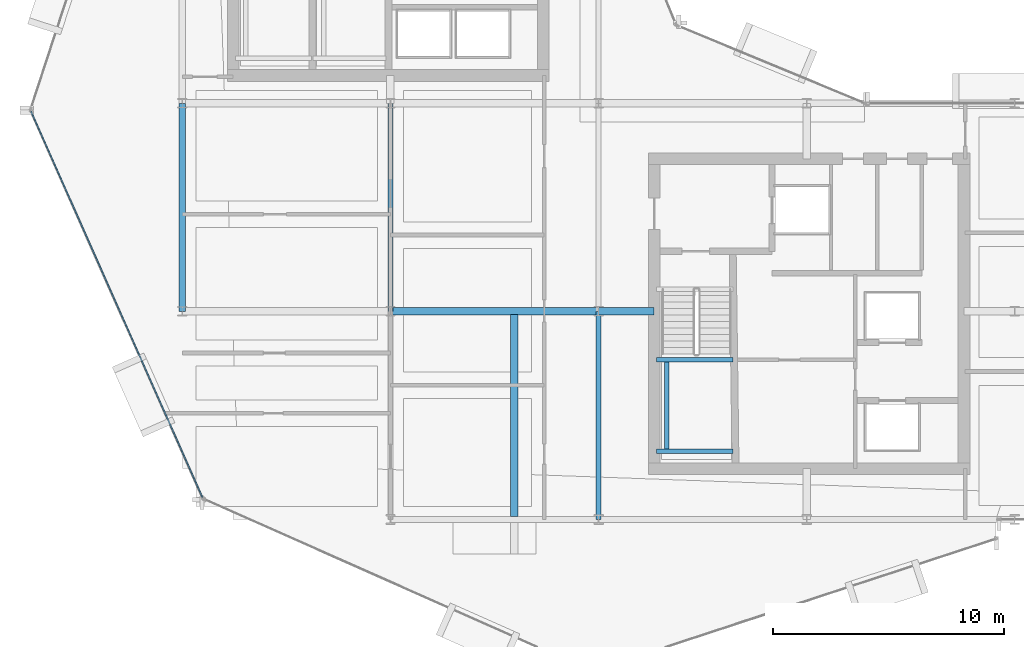
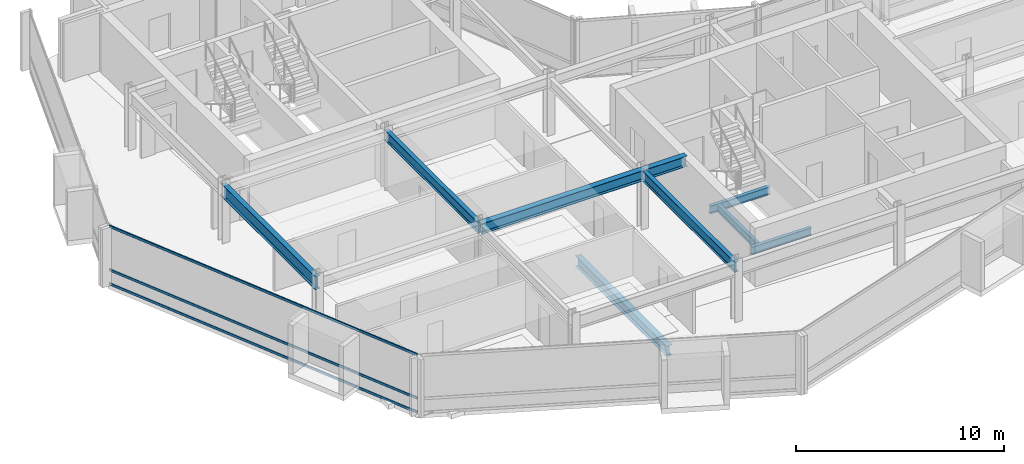
# One storey, part 5 of 27: 9 beams, 3 members, 1 element without a shape of its own.
"""IFC4 building model written with IfcOpenShell, lengths in metres."""

from ifc_helpers import new_model, si_unit, direction, frame, origin, origin_2d, place, context, subcontext, project, spatial, hollow_rectangle, i_section, extrude, material, layer, layer_set, material_profile, profile_set, type_object, element, aggregate, save


model = new_model("IFC4")

# Units and contexts
model_context = context("Model", 3, precision=1e-05, world=origin(), true_north=direction((0.0, 1.0)))
body_context = subcontext(model_context, "Body", "Model", "MODEL_VIEW")
ifc_project = project(units=[si_unit("LENGTHUNIT", "METRE"), si_unit("AREAUNIT", "SQUARE_METRE"), si_unit("VOLUMEUNIT", "CUBIC_METRE"), si_unit("PLANEANGLEUNIT", "RADIAN"), si_unit("MASSUNIT", "GRAM", prefix="KILO")], contexts=[model_context])

# Site, building, storey
site_placement = place(None, origin())
site = spatial("IfcSite", under=ifc_project, at=site_placement, CompositionType="ELEMENT")
building_placement = place(site_placement, origin())
building = spatial("IfcBuilding", under=site, at=building_placement, Name="Solvaryn Broadcast Tower", CompositionType="ELEMENT")
storey_placement = place(building_placement, frame((0.0, 0.0, 174.199951171875)))
storey = spatial("IfcBuildingStorey", under=building, at=storey_placement, Name="L43", CompositionType="ELEMENT", Elevation=174.199951171875)

# Beams
ifc_material_1 = material(Name="Steel ASTM A992 Grade 50", Category="steel")
ifc_material_profile_1 = material_profile(ifc_material_1, i_section(OverallWidth=0.323974609375, OverallDepth=0.611083984375, WebThickness=0.0126953125, FlangeThickness=0.01904296875, FilletRadius=0.014892578125, at=origin_2d()))
ifc_profile_set_1 = profile_set([ifc_material_profile_1], Name="Steel ASTM A992 Grade 50")
beam_type_1 = type_object("IfcBeamType", Name="BM-B1-W24X104", PredefinedType="BEAM", material=ifc_profile_set_1)
beam_1_placement = place(storey_placement, frame((23.35009765625, 17.875, -0.58544921875), z_axis=(0.0, -1.0, 0.0), x_axis=(1.0, 0.0, 0.0)))
element("IfcBeam", 1, at=beam_1_placement, inside=storey, type_object=beam_type_1, Name="L43 Bay-Box Back-Span Beam 1", PredefinedType="BEAM", context=body_context, shape_type="SweptSolid", body=[
    extrude(i_section(OverallWidth=0.323974609375, OverallDepth=0.611083984375, WebThickness=0.0126953125, FlangeThickness=0.01904296875, FilletRadius=0.014892578125, at=origin_2d()), origin(), (0.0, 0.0, 1.0), 8.75),
])
beam_2_placement = place(storey_placement, frame((18.0, 18.0, 3.114501953125), z_axis=(1.0, 0.0, 0.0), x_axis=(0.0, 1.0, 0.0)))
element("IfcBeam", 2, at=beam_2_placement, inside=storey, type_object=beam_type_1, Name="L43 Primary Beam X (18-27 @ Y=18)", PredefinedType="BEAM", context=body_context, shape_type="SweptSolid", body=[
    extrude(i_section(OverallWidth=0.323974609375, OverallDepth=0.611083984375, WebThickness=0.0126953125, FlangeThickness=0.01904296875, FilletRadius=0.014892578125, at=origin_2d()), origin(), (0.0, 0.0, 1.0), 9.0),
])
beam_3_placement = place(storey_placement, frame((27.0, 18.0, 3.114501953125), z_axis=(1.0, 0.0, 0.0), x_axis=(0.0, 1.0, 0.0)))
element("IfcBeam", 3, at=beam_3_placement, inside=storey, type_object=beam_type_1, Name="L43 Core Tie Beam CTE4", PredefinedType="BEAM", context=body_context, shape_type="SweptSolid", body=[
    extrude(i_section(OverallWidth=0.323974609375, OverallDepth=0.611083984375, WebThickness=0.0126953125, FlangeThickness=0.01904296875, FilletRadius=0.014892578125, at=origin_2d()), origin(), (0.0, 0.0, 1.0), 2.39990234375),
])
ifc_material_2 = material(Name="Steel ASTM A992 Grade 50", Category="steel")
ifc_material_profile_2 = material_profile(ifc_material_2, i_section(OverallWidth=0.22802734375, OverallDepth=0.60791015625, WebThickness=0.01123046875, FlangeThickness=0.017333984375, FilletRadius=0.014892578125, at=origin_2d()))
ifc_profile_set_2 = profile_set([ifc_material_profile_2], Name="Steel ASTM A992 Grade 50")
beam_type_2 = type_object("IfcBeamType", Name="BM-B2-W24X76", PredefinedType="BEAM", material=ifc_profile_set_2)
for number, where, z_axis, x_axis, name in (
    (4, (18.0, 18.0, 3.115966796875), (0.0, 1.0, 0.0), (-1.0, 0.0, 0.0), "L43 Primary Beam Y (18-27 @ X=18)"),
    (5, (27.0, 9.0, 3.115966796875), (0.0, 1.0, 0.0), (-1.0, 0.0, 0.0), "L43 Primary Beam Y (9-18 @ X=27)"),
):
    element("IfcBeam", number, at=place(storey_placement, frame(where, z_axis=z_axis, x_axis=x_axis)), inside=storey, type_object=beam_type_2, Name=name, PredefinedType="BEAM", context=body_context, shape_type="SweptSolid", body=[
        extrude(i_section(OverallWidth=0.22802734375, OverallDepth=0.60791015625, WebThickness=0.01123046875, FlangeThickness=0.017333984375, FilletRadius=0.014892578125, at=origin_2d()), origin(), (0.0, 0.0, 1.0), 9.0),
    ])
ifc_material_3 = material(Name="Steel ASTM A992 Grade 50", Category="steel")
ifc_material_profile_3 = material_profile(ifc_material_3, i_section(OverallWidth=0.18994140625, OverallDepth=0.45703125, WebThickness=0.009033203125, FlangeThickness=0.014404296875, FilletRadius=0.011962890625, at=origin_2d()))
ifc_profile_set_3 = profile_set([ifc_material_profile_3], Name="Steel ASTM A992 Grade 50")
beam_type_3 = type_object("IfcBeamType", Name="BM-B4-W18X50", PredefinedType="BEAM", material=ifc_profile_set_3)
for number, where, z_axis, x_axis, name in (
    (6, (29.5, 11.949951171875, 1.421630859375), (1.0, 0.0, 0.0), (0.0, 1.0, 0.0), "L43 ST3 Landing Support Beam 1A"),
    (7, (29.5, 15.909912109375, 1.421630859375), (1.0, 0.0, 0.0), (0.0, 1.0, 0.0), "L43 ST3 Landing Support Beam 1B"),
):
    element("IfcBeam", number, at=place(storey_placement, frame(where, z_axis=z_axis, x_axis=x_axis)), inside=storey, type_object=beam_type_3, Name=name, PredefinedType="BEAM", context=body_context, shape_type="SweptSolid", body=[
        extrude(i_section(OverallWidth=0.18994140625, OverallDepth=0.45703125, WebThickness=0.009033203125, FlangeThickness=0.014404296875, FilletRadius=0.011962890625, at=origin_2d()), origin(), (0.0, 0.0, 1.0), 3.320068359375),
    ])
beam_4_placement = place(storey_placement, frame((29.949951171875, 11.949951171875, 1.421630859375), z_axis=(0.0, 1.0, 0.0), x_axis=(-1.0, 0.0, 0.0)))
element("IfcBeam", 8, at=beam_4_placement, inside=storey, type_object=beam_type_3, Name="L43 ST3 Landing Cross Stringer 1C", PredefinedType="BEAM", context=body_context, shape_type="SweptSolid", body=[
    extrude(i_section(OverallWidth=0.18994140625, OverallDepth=0.45703125, WebThickness=0.009033203125, FlangeThickness=0.014404296875, FilletRadius=0.011962890625, at=origin_2d()), origin(), (0.0, 0.0, 1.0), 3.9599609375),
])
ifc_material_4 = material(Name="Steel ASTM A992 Grade 50", Category="steel")
ifc_material_profile_4 = material_profile(ifc_material_4, i_section(OverallWidth=0.26708984375, OverallDepth=0.76611328125, WebThickness=0.014892578125, FlangeThickness=0.023681640625, FilletRadius=0.01806640625, at=origin_2d()))
ifc_profile_set_4 = profile_set([ifc_material_profile_4], Name="Steel ASTM A992 Grade 50")
beam_type_4 = type_object("IfcBeamType", Name="BM-SP2-W30X124", PredefinedType="USERDEFINED", material=ifc_profile_set_4)
beam_5_placement = place(storey_placement, frame((9.0, 18.0, 3.037109375), z_axis=(0.0, 1.0, 0.0), x_axis=(-1.0, 0.0, 0.0)))
element("IfcBeam", 9, at=beam_5_placement, inside=storey, type_object=beam_type_4, Name="L43 Spandrel Beam Y (18-27 @ X=9)", ObjectType="SPANDREL", PredefinedType="USERDEFINED", context=body_context, shape_type="SweptSolid", body=[
    extrude(i_section(OverallWidth=0.26708984375, OverallDepth=0.76611328125, WebThickness=0.014892578125, FlangeThickness=0.023681640625, FilletRadius=0.01806640625, at=origin_2d()), origin(), (0.0, 0.0, 1.0), 9.0),
])

# Curtain wall, members
ifc_material_5 = material(Name="Aluminium and Terracotta Unitised Curtain Wall", Category="masonry")
ifc_layer = layer(ifc_material_5, 0.239990234375)
ifc_layer_set = layer_set([ifc_layer], Name="CW-SYS3-BAYBOX")
curtain_wall_type = type_object("IfcCurtainWallType", Name="CW-SYS3-BAYBOX", PredefinedType="NOTDEFINED", material=ifc_layer_set)
curtain_wall_placement = place(storey_placement, origin())
curtain_wall = element("IfcCurtainWall", 10, at=curtain_wall_placement, inside=storey, type_object=curtain_wall_type, Name="L43 Curtain Wall DR2", PredefinedType="NOTDEFINED")
ifc_material_6 = material(Name="Anodised Aluminium 6063-T6", Category="aluminium")
ifc_material_profile_5 = material_profile(ifc_material_6, hollow_rectangle(XDim=0.06494140625, YDim=0.14990234375, WallThickness=0.00390625, InnerFilletRadius=0.00390625, OuterFilletRadius=0.008056640625, at=origin_2d()))
ifc_profile_set_5 = profile_set([ifc_material_profile_5], Name="Anodised Aluminium 6063-T6")
member_type = type_object("IfcMemberType", Name="CW-TRN-150", PredefinedType="USERDEFINED", material=ifc_profile_set_5)
member_1_placement = place(storey_placement, frame((2.457275390625, 26.651123046875, 0.030029296875), z_axis=(0.405901653299, -0.913916761992, 0.0), x_axis=(0.913916761992, 0.405901653299, 0.0)))
member_1 = element("IfcMember", 11, at=member_1_placement, type_object=member_type, Name="CWS3 transom 1.1", ObjectType="TRANSOM", PredefinedType="USERDEFINED", context=body_context, shape_type="SweptSolid", body=[
    extrude(hollow_rectangle(XDim=0.06494140625, YDim=0.14990234375, WallThickness=0.00390625, InnerFilletRadius=0.00390625, OuterFilletRadius=0.008056640625, at=origin_2d()), origin(), (0.0, 0.0, 1.0), 18.27099609375),
])
member_2_placement = place(storey_placement, frame((2.457275390625, 26.651123046875, 0.85009765625), z_axis=(0.405901653299, -0.913916761992, 0.0), x_axis=(0.913916761992, 0.405901653299, 0.0)))
member_2 = element("IfcMember", 12, at=member_2_placement, type_object=member_type, Name="CWS3 transom 1.2", ObjectType="TRANSOM", PredefinedType="USERDEFINED", context=body_context, shape_type="SweptSolid", body=[
    extrude(hollow_rectangle(XDim=0.06494140625, YDim=0.14990234375, WallThickness=0.00390625, InnerFilletRadius=0.00390625, OuterFilletRadius=0.008056640625, at=origin_2d()), origin(), (0.0, 0.0, 1.0), 18.27099609375),
])
member_3_placement = place(storey_placement, frame((2.457275390625, 26.651123046875, 3.39013671875), z_axis=(0.405901653299, -0.913916761992, 0.0), x_axis=(0.913916761992, 0.405901653299, 0.0)))
member_3 = element("IfcMember", 13, at=member_3_placement, type_object=member_type, Name="CWS3 transom 1.3", ObjectType="TRANSOM", PredefinedType="USERDEFINED", context=body_context, shape_type="SweptSolid", body=[
    extrude(hollow_rectangle(XDim=0.06494140625, YDim=0.14990234375, WallThickness=0.00390625, InnerFilletRadius=0.00390625, OuterFilletRadius=0.008056640625, at=origin_2d()), origin(), (0.0, 0.0, 1.0), 18.27099609375),
])
aggregate(curtain_wall, [member_1, member_2, member_3])

save(model, "model.ifc")
